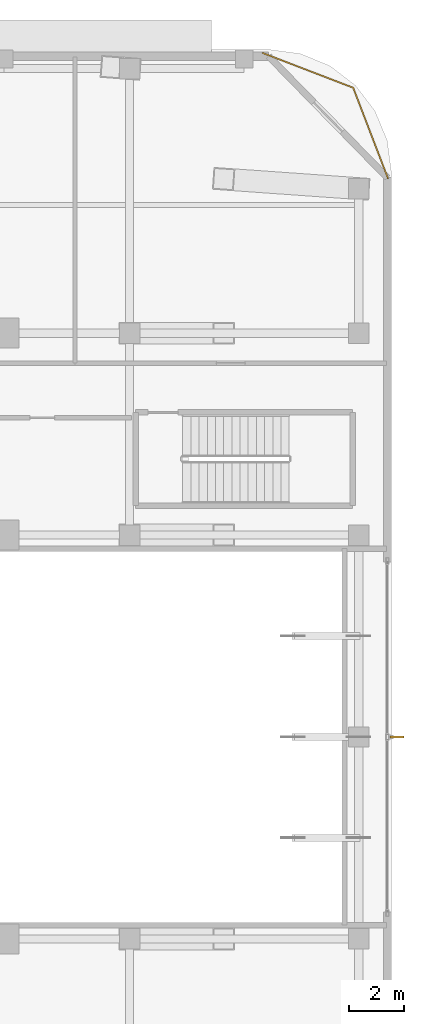
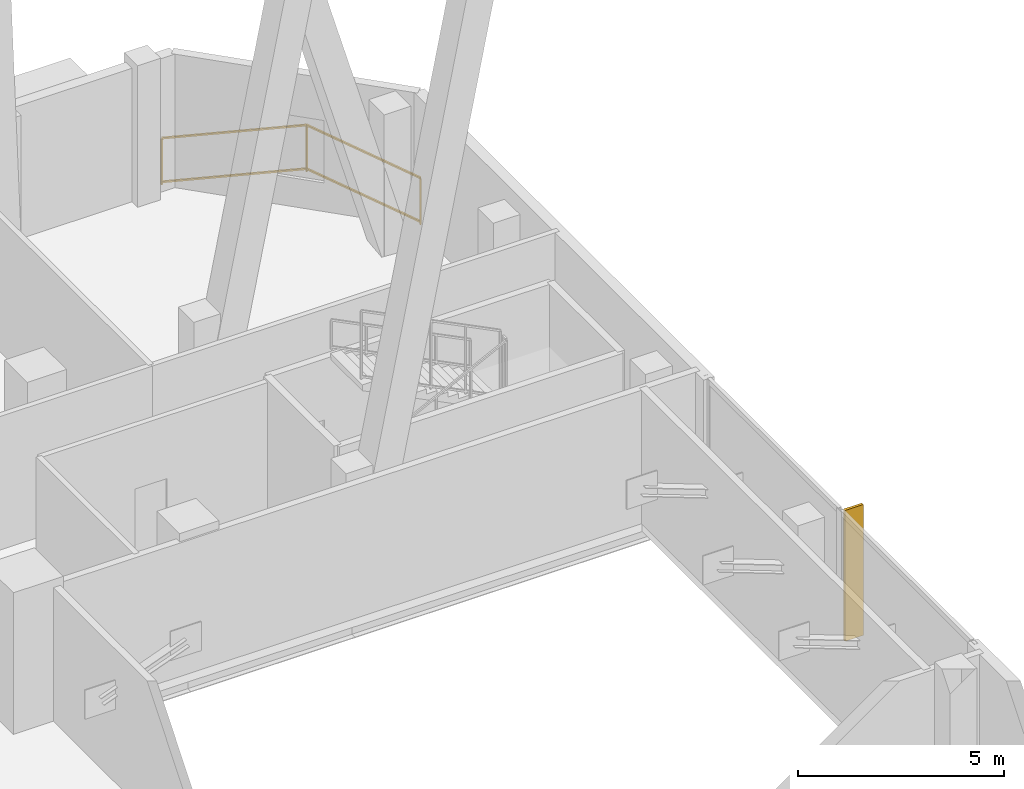
# One storey, part 23 of 23: 1 railing, 1 shading device.
"""IFC4 building model written with IfcOpenShell, lengths in metres."""

import ifcopenshell
import ifcopenshell.guid

model = None  # the IFC model being written
_history = None  # IfcOwnerHistory: only IFC2X3 demands one
_inside = {}  # id of a spatial element -> (the spatial element, [elements in it])
_under = {}  # id of a project, library or spatial element -> (it, [spatial elements below it])
_declared = {}  # id of a project -> (the project, [libraries it declares])
_typed = {}  # id of a type object -> (the type object, [elements of that type])
_made_of = {}  # id of a material, layer set ... -> (it, [elements and type objects made of it])


def new_model(schema):
    """Start an empty IFC model of exactly this schema.

    Asked for "IFC4X3", IfcOpenShell would pick the latest addendum, in which some entities
    have other attributes; the version numbers below select the first issue.
    IFC2X3 requires an IfcOwnerHistory on every rooted entity: one is made here for all.
    """
    global model, _history
    if schema == "IFC4X3":
        model = ifcopenshell.file(schema_version=(4, 3, 0, 0))
    else:
        model = ifcopenshell.file(schema=schema)
    _inside.clear()
    _under.clear()
    _declared.clear()
    _typed.clear()
    _made_of.clear()
    _history = None
    if model.schema == "IFC2X3":
        org = make("IfcOrganization", Name="unknown")
        user = make(
            "IfcPersonAndOrganization",
            ThePerson=make("IfcPerson", FamilyName="unknown"),
            TheOrganization=org,
        )
        app = make(
            "IfcApplication",
            ApplicationDeveloper=org,
            Version="unknown",
            ApplicationFullName="unknown",
            ApplicationIdentifier="unknown",
        )
        _history = make(
            "IfcOwnerHistory",
            OwningUser=user,
            OwningApplication=app,
            ChangeAction="ADDED",
            CreationDate=0,
        )
    return model


def make(cls, **values):
    """One entity of the class cls with the attributes given. An attribute that is None is left unset."""
    return model.create_entity(
        cls, **{name: value for name, value in values.items() if value is not None}
    )


def rooted(cls, **values):
    """An entity with a GlobalId (a new one), such as an element, a storey or a relation."""
    return make(cls, GlobalId=ifcopenshell.guid.new(), OwnerHistory=_history, **values)


def si_unit(unit_type, name, prefix=None):
    """IfcSIUnit, for example si_unit("LENGTHUNIT", "METRE", prefix="MILLI")."""
    return make("IfcSIUnit", UnitType=unit_type, Prefix=prefix, Name=name)


def assignment(units):
    """IfcUnitAssignment: the units of a project."""
    return None if units is None else make("IfcUnitAssignment", Units=units)


def point(xyz):
    """IfcCartesianPoint."""
    return None if xyz is None else make("IfcCartesianPoint", Coordinates=xyz)


def direction(xyz):
    """IfcDirection."""
    return None if xyz is None else make("IfcDirection", DirectionRatios=xyz)


def frame(location, z_axis=None, x_axis=None):
    """IfcAxis2Placement3D, a coordinate frame: its origin and axes. An axis left out is left unset."""
    return make(
        "IfcAxis2Placement3D",
        Location=point(location),
        Axis=direction(z_axis),
        RefDirection=direction(x_axis),
    )


def frame_2d(location, x_axis=None):
    """IfcAxis2Placement2D, a coordinate frame in the plane: its origin and x axis."""
    return make(
        "IfcAxis2Placement2D", Location=point(location), RefDirection=direction(x_axis)
    )


def origin():
    """The frame at (0, 0, 0) with its axes left unset."""
    return frame((0.0, 0.0, 0.0))


def origin_2d():
    """The frame at (0, 0) in the plane with its x axis left unset."""
    return frame_2d((0.0, 0.0))


def place(relative_to, where):
    """IfcLocalPlacement: puts the frame where relative to a parent placement (None: the world)."""
    return make(
        "IfcLocalPlacement", PlacementRelTo=relative_to, RelativePlacement=where
    )


def context(
    kind, dimensions, precision=None, world=None, true_north=None, identifier=None
):
    """IfcGeometricRepresentationContext, for example the 3D "Model" context."""
    return make(
        "IfcGeometricRepresentationContext",
        ContextIdentifier=identifier,
        ContextType=kind,
        CoordinateSpaceDimension=dimensions,
        Precision=precision,
        WorldCoordinateSystem=world,
        TrueNorth=true_north,
    )


def subcontext(parent, identifier, kind, view, scale=None):
    """IfcGeometricRepresentationSubContext, for example "Body" below "Model"."""
    return make(
        "IfcGeometricRepresentationSubContext",
        ContextIdentifier=identifier,
        ContextType=kind,
        ParentContext=parent,
        TargetScale=scale,
        TargetView=view,
    )


def project(units=None, contexts=None):
    """IfcProject with its units and contexts."""
    return rooted(
        "IfcProject",
        Name="project",
        RepresentationContexts=contexts,
        UnitsInContext=assignment(units),
    )


def spatial(cls, under=None, at=None, **own):
    """A site, building, storey or space (cls), placed at a placement, below another one or the project."""
    s = rooted(cls, ObjectPlacement=at, **own)
    if under is not None:
        _under.setdefault(under.id(), (under, []))[1].append(s)
    return s


def profile(cls, at=None, kind="AREA", **sizes):
    """A parametric profile (cls). Its sizes go by their IFC names, for example OverallWidth=200.0."""
    return make(cls, ProfileType=kind, Position=at, **sizes)


def rectangle(**sizes):
    """IfcRectangleProfileDef."""
    return profile("IfcRectangleProfileDef", **sizes)


def extrude(swept, where, along, depth):
    """IfcExtrudedAreaSolid: the profile swept, set in the frame where, extruded along a direction by depth."""
    return make(
        "IfcExtrudedAreaSolid",
        SweptArea=swept,
        Position=where,
        ExtrudedDirection=direction(along),
        Depth=depth,
    )


def shape(context_of_items, identifier, shape_type, items):
    """IfcShapeRepresentation: the items that make up one representation, for example the "Body"."""
    return make(
        "IfcShapeRepresentation",
        ContextOfItems=context_of_items,
        RepresentationIdentifier=identifier,
        RepresentationType=shape_type,
        Items=items,
    )


def material(Name=None, Category=None):
    """IfcMaterial."""
    return make("IfcMaterial", Name=Name, Category=Category)


def layer(
    of_material, thickness, ventilated=None, Name=None, Category=None, Priority=None
):
    """IfcMaterialLayer: one layer of a wall or slab, of a material (None: an air gap)."""
    return make(
        "IfcMaterialLayer",
        Material=of_material,
        LayerThickness=thickness,
        IsVentilated=ventilated,
        Name=Name,
        Category=Category,
        Priority=Priority,
    )


def layer_set(layers, Name=None):
    """IfcMaterialLayerSet."""
    return make("IfcMaterialLayerSet", MaterialLayers=layers, LayerSetName=Name)


def made_of(thing, what):
    """Note that an element or type object is made of a material, layer set ...; save() writes the relation."""
    if what is not None:
        _made_of.setdefault(what.id(), (what, []))[1].append(thing)
    return thing


def type_object(cls, material=None, **own):
    """A type object (cls), such as IfcWallType, which elements share."""
    return made_of(rooted(cls, **own), material)


def element(
    cls,
    number,
    at=None,
    inside=None,
    cuts=None,
    type_object=None,
    material=None,
    context=None,
    identifier="Body",
    shape_type=None,
    held_by="IfcProductDefinitionShape",
    body=None,
    shapes=None,
    **own,
):
    """One element of the class cls, such as IfcWall. Its Tag is "e" and its number.

    at: its placement. inside: the storey or other place that contains it. cuts: it is an
    opening in that element (IfcRelVoidsElement). A single representation is given by context,
    identifier, shape_type and body (its items); several are given by shapes. held_by: the class
    of the entity that holds the representations. save() writes the other relations.
    """
    e = rooted(cls, Tag="e%d" % number, ObjectPlacement=at, **own)
    if body is not None:
        shapes = [shape(context, identifier, shape_type, body)]
    if shapes is not None:
        e.Representation = make(held_by, Representations=shapes)
    if inside is not None:
        _inside.setdefault(inside.id(), (inside, []))[1].append(e)
    if cuts is not None:
        rooted(
            "IfcRelVoidsElement", RelatingBuildingElement=cuts, RelatedOpeningElement=e
        )
    if type_object is not None:
        _typed.setdefault(type_object.id(), (type_object, []))[1].append(e)
    return made_of(e, material)


def aggregate(whole, parts):
    """IfcRelAggregates: a whole, such as a stair, and the parts it consists of."""
    return rooted("IfcRelAggregates", RelatingObject=whole, RelatedObjects=parts)


def save(model, path):
    """Write the relations noted so far, then the file.

    IfcRelAggregates (storeys below a building ...), IfcRelContainedInSpatialStructure (elements
    in a storey), IfcRelDefinesByType, IfcRelAssociatesMaterial and IfcRelDeclares: one each for
    every whole, place, type object, material and project.
    """
    for whole, parts in _under.values():
        aggregate(whole, parts)
    for where, things in _inside.values():
        rooted(
            "IfcRelContainedInSpatialStructure",
            RelatedElements=things,
            RelatingStructure=where,
        )
    for kind, things in _typed.values():
        rooted("IfcRelDefinesByType", RelatedObjects=things, RelatingType=kind)
    for what, things in _made_of.values():
        rooted("IfcRelAssociatesMaterial", RelatedObjects=things, RelatingMaterial=what)
    for by, libraries in _declared.values():
        rooted("IfcRelDeclares", RelatingContext=by, RelatedDefinitions=libraries)
    model.write(path)


model = new_model("IFC4")

# Units and contexts
model_context = context("Model", 3, precision=1e-05, world=origin(), true_north=direction((0.0, 1.0)))
body_context = subcontext(model_context, "Body", "Model", "MODEL_VIEW")
ifc_project = project(units=[si_unit("LENGTHUNIT", "METRE"), si_unit("AREAUNIT", "SQUARE_METRE"), si_unit("VOLUMEUNIT", "CUBIC_METRE"), si_unit("PLANEANGLEUNIT", "RADIAN"), si_unit("MASSUNIT", "GRAM", prefix="KILO")], contexts=[model_context])

# Site, building, storey
site_placement = place(None, origin())
site = spatial("IfcSite", under=ifc_project, at=site_placement, CompositionType="ELEMENT")
building_placement = place(site_placement, origin())
building = spatial("IfcBuilding", under=site, at=building_placement, Name="Khorvyn Point Tower", CompositionType="ELEMENT")
storey_placement = place(building_placement, frame((0.0, 0.0, 9.0)))
storey = spatial("IfcBuildingStorey", under=building, at=storey_placement, Name="L03", CompositionType="ELEMENT", Elevation=9.0)

# Shading device
ifc_material_1 = material(Name="Bronze anodised aluminium 6063-T6", Category="aluminium")
ifc_layer = layer(ifc_material_1, 0.074951171875)
ifc_layer_set = layer_set([ifc_layer], Name="Bronze Anodised Aluminium FIN 520x75")
shading_device_type = type_object("IfcShadingDeviceType", Name="Bronze Anodised Aluminium FIN 520x75", PredefinedType="USERDEFINED", material=ifc_layer_set)
shading_device_placement = place(storey_placement, frame((33.800048828125, 0.0, 0.0400390625), z_axis=(0.0, 0.0, 1.0), x_axis=(1.0, 0.0, 0.0)))
element("IfcShadingDevice", 1, at=shading_device_placement, inside=storey, type_object=shading_device_type, Name="L03 Anodised FIN 01", ObjectType="FIN", PredefinedType="USERDEFINED", context=body_context, shape_type="SweptSolid", body=[
    extrude(rectangle(XDim=0.52001953125, YDim=0.074951171875, at=origin_2d()), origin(), (0.0, 0.0, 1.0), 3.8798828125),
])

# Railing
ifc_material_2 = material(Name="Anodised aluminium 6063-T6 and laminated safety glass", Category="aluminium")
railing_type = type_object("IfcRailingType", Name="Laminated Glass and Aluminium Balcony Guardrail 1400", PredefinedType="BALUSTRADE", material=ifc_material_2)
railing_placement = place(storey_placement, frame((33.47412109375, 20.470703125, 0.0)))
element("IfcRailing", 2, at=railing_placement, inside=storey, type_object=railing_type, Name="L03 Rounded Corner Edge Guardrail NE", PredefinedType="BALUSTRADE", context=body_context, shape_type="SweptSolid", body=[
    extrude(rectangle(XDim=0.048095703125, YDim=0.048095703125, at=origin_2d()), frame((0.0, 0.0, 1.3759765625), z_axis=(-0.35841886047, 0.933560882031, 0.0), x_axis=(-0.933560882031, -0.35841886047, 0.0)), (0.0, 0.0, 1.0), 3.563232421875),
    extrude(rectangle(XDim=0.048095703125, YDim=0.048095703125, at=origin_2d()), frame((0.0, 0.0, 0.080078125), z_axis=(-0.35841886047, 0.933560882031, 0.0), x_axis=(-0.933560882031, -0.35841886047, 0.0)), (0.0, 0.0, 1.0), 3.563232421875),
    extrude(rectangle(XDim=0.048095703125, YDim=0.048095703125, at=origin_2d()), frame((-1.277099609375, 3.326416015625, 1.3759765625), z_axis=(-0.933575007025, 0.358382067435, 0.0), x_axis=(-0.358382067435, -0.933575007025, 0.0)), (0.0, 0.0, 1.0), 3.562744140625),
    extrude(rectangle(XDim=0.048095703125, YDim=0.048095703125, at=origin_2d()), frame((-1.277099609375, 3.326416015625, 0.080078125), z_axis=(-0.933575007025, 0.358382067435, 0.0), x_axis=(-0.358382067435, -0.933575007025, 0.0)), (0.0, 0.0, 1.0), 3.562744140625),
    extrude(rectangle(XDim=0.0419921875, YDim=0.0419921875, at=origin_2d()), origin(), (0.0, 0.0, 1.0), 1.351806640625),
    extrude(rectangle(XDim=0.0419921875, YDim=0.0419921875, at=origin_2d()), frame((-1.277099609375, 3.326416015625, 0.0)), (0.0, 0.0, 1.0), 1.351806640625),
    extrude(rectangle(XDim=0.0419921875, YDim=0.0419921875, at=origin_2d()), frame((-4.603271484375, 4.603271484375, 0.0)), (0.0, 0.0, 1.0), 1.351806640625),
])

save(model, "model.ifc")
